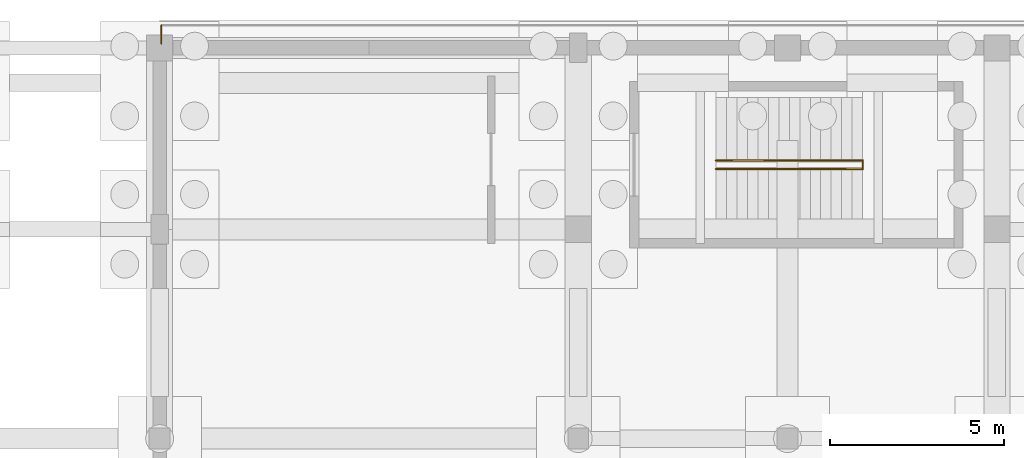
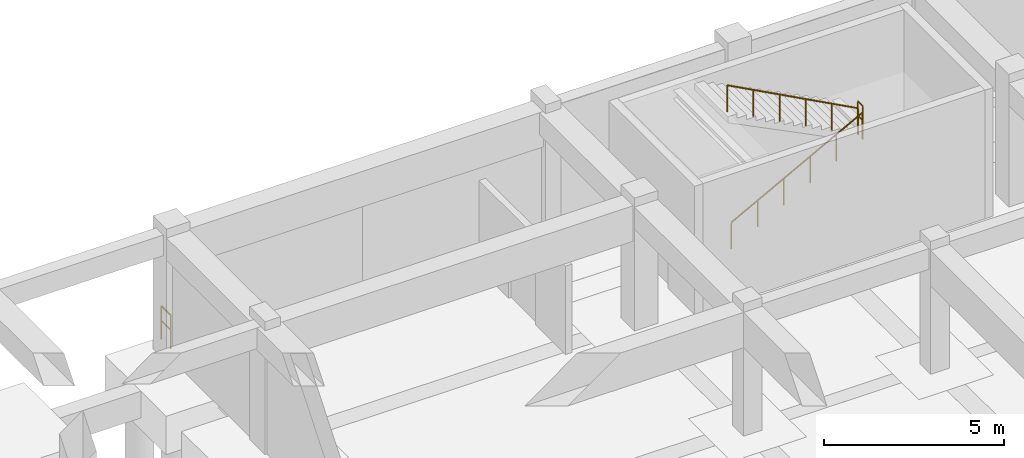
# One storey, part 27 of 32: 4 railings.
"""IFC4 building model written with IfcOpenShell, lengths in metres."""

from ifc_helpers import new_model, si_unit, direction, frame, origin, origin_2d, place, context, subcontext, project, spatial, circle, extrude, material, type_object, element, save


model = new_model("IFC4")

# Units and contexts
model_context = context("Model", 3, precision=1e-05, world=origin(), true_north=direction((0.0, 1.0)))
body_context = subcontext(model_context, "Body", "Model", "MODEL_VIEW")
ifc_project = project(units=[si_unit("LENGTHUNIT", "METRE"), si_unit("AREAUNIT", "SQUARE_METRE"), si_unit("VOLUMEUNIT", "CUBIC_METRE"), si_unit("PLANEANGLEUNIT", "RADIAN"), si_unit("MASSUNIT", "GRAM", prefix="KILO")], contexts=[model_context])

# Site, building, storey
site_placement = place(None, origin())
site = spatial("IfcSite", under=ifc_project, at=site_placement, CompositionType="ELEMENT")
building_placement = place(site_placement, origin())
building = spatial("IfcBuilding", under=site, at=building_placement, Name="Varnakota Square Police Headquarters", CompositionType="ELEMENT")
storey_placement = place(building_placement, frame((0.0, 0.0, -4.5)))
storey = spatial("IfcBuildingStorey", under=building, at=storey_placement, Name="B1", CompositionType="ELEMENT", Elevation=-4.5)

# Railings
ifc_material_1 = material(Name="Galvanised Powder-Coated Steel Guardrail", Category="steel")
railing_type_1 = type_object("IfcRailingType", Name="RL-BAL-1150", PredefinedType="BALUSTRADE", material=ifc_material_1)
railing_1_placement = place(storey_placement, frame((18.050048828125, 110.318115234375, 0.0)))
element("IfcRailing", 1, at=railing_1_placement, inside=storey, type_object=railing_type_1, Name="Perimeter edge safety guard GD-AUTO-B1-011", PredefinedType="BALUSTRADE", context=body_context, shape_type="SweptSolid", body=[
    extrude(circle(Radius=0.02392578125, at=origin_2d()), frame((0.0, 0.0, 1.1259765625), z_axis=(0.0, 1.0, 0.0), x_axis=(-1.0, 0.0, 0.0)), (0.0, 0.0, 1.0), 0.531982421875),
    extrude(circle(Radius=0.01806640625, at=origin_2d()), frame((0.0, 0.0, 0.63232421875), z_axis=(0.0, 1.0, 0.0), x_axis=(-1.0, 0.0, 0.0)), (0.0, 0.0, 1.0), 0.531982421875),
    extrude(circle(Radius=0.02099609375, at=origin_2d()), origin(), (0.0, 0.0, 1.0), 1.101806640625),
    extrude(circle(Radius=0.02099609375, at=origin_2d()), frame((0.0, 0.531982421875, 0.0)), (0.0, 0.0, 1.0), 1.101806640625),
])
ifc_material_2 = material(Name="Brushed Stainless Steel Tubular Handrail", Category="steel")
railing_type_2 = type_object("IfcRailingType", Name="RL-HND-920", PredefinedType="HANDRAIL", material=ifc_material_2)
railing_2_placement = place(storey_placement, frame((33.949951171875, 106.72998046875, 0.0)))
element("IfcRailing", 2, at=railing_2_placement, inside=storey, type_object=railing_type_2, Name="Stair flight handrail HR-B1-075", PredefinedType="HANDRAIL", context=body_context, shape_type="SweptSolid", body=[
    extrude(circle(Radius=0.02392578125, at=origin_2d()), frame((0.0, 0.0, 0.89599609375), z_axis=(0.881511956786, 0.0, 0.472161699043), x_axis=(0.0, 1.0, 0.0)), (0.0, 0.0, 1.0), 4.765380859375),
    extrude(circle(Radius=0.02099609375, at=origin_2d()), origin(), (0.0, 0.0, 1.0), 0.871826171875),
    extrude(circle(Radius=0.02099609375, at=origin_2d()), frame((0.840087890625, 0.0, 0.449951171875)), (0.0, 0.0, 1.0), 0.871826171875),
    extrude(circle(Radius=0.02099609375, at=origin_2d()), frame((1.68017578125, 0.0, 0.89990234375)), (0.0, 0.0, 1.0), 0.871826171875),
    extrude(circle(Radius=0.02099609375, at=origin_2d()), frame((2.5205078125, 0.0, 1.35009765625)), (0.0, 0.0, 1.0), 0.871826171875),
    extrude(circle(Radius=0.02099609375, at=origin_2d()), frame((3.360595703125, 0.0, 1.800048828125)), (0.0, 0.0, 1.0), 0.871826171875),
    extrude(circle(Radius=0.02099609375, at=origin_2d()), frame((4.20068359375, 0.0, 2.25)), (0.0, 0.0, 1.0), 0.871826171875),
])
railing_3_placement = place(storey_placement, frame((38.150634765625, 106.969970703125, 2.25)))
element("IfcRailing", 3, at=railing_3_placement, inside=storey, type_object=railing_type_2, Name="Stair flight handrail HR-B1-076", PredefinedType="HANDRAIL", context=body_context, shape_type="SweptSolid", body=[
    extrude(circle(Radius=0.02392578125, at=origin_2d()), frame((0.0, 0.0, 0.89599609375), z_axis=(-0.881511956786, 0.0, 0.472161699043), x_axis=(0.0, -1.0, 0.0)), (0.0, 0.0, 1.0), 4.765380859375),
    extrude(circle(Radius=0.02099609375, at=origin_2d()), origin(), (0.0, 0.0, 1.0), 0.871826171875),
    extrude(circle(Radius=0.02099609375, at=origin_2d()), frame((-0.840087890625, 0.0, 0.449951171875)), (0.0, 0.0, 1.0), 0.871826171875),
    extrude(circle(Radius=0.02099609375, at=origin_2d()), frame((-1.68017578125, 0.0, 0.89990234375)), (0.0, 0.0, 1.0), 0.871826171875),
    extrude(circle(Radius=0.02099609375, at=origin_2d()), frame((-2.5205078125, 0.0, 1.35009765625)), (0.0, 0.0, 1.0), 0.871826171875),
    extrude(circle(Radius=0.02099609375, at=origin_2d()), frame((-3.360595703125, 0.0, 1.800048828125)), (0.0, 0.0, 1.0), 0.871826171875),
    extrude(circle(Radius=0.02099609375, at=origin_2d()), frame((-4.20068359375, 0.0, 2.25)), (0.0, 0.0, 1.0), 0.871826171875),
])
ifc_material_3 = material(Name="Laminated Glass and Stainless Steel Balustrade", Category="steel")
railing_type_3 = type_object("IfcRailingType", Name="RL-INT-1150", PredefinedType="BALUSTRADE", material=ifc_material_3)
railing_4_placement = place(storey_placement, frame((38.150634765625, 106.719970703125, 2.25)))
element("IfcRailing", 4, at=railing_4_placement, inside=storey, type_object=railing_type_3, Name="Half-landing well guard C7 B1", PredefinedType="BALUSTRADE", context=body_context, shape_type="SweptSolid", body=[
    extrude(circle(Radius=0.02392578125, at=origin_2d()), frame((0.0, 0.0, 1.1259765625), z_axis=(0.0, 1.0, 0.0), x_axis=(-1.0, 0.0, 0.0)), (0.0, 0.0, 1.0), 0.260009765625),
    extrude(circle(Radius=0.01806640625, at=origin_2d()), frame((0.0, 0.0, 0.63232421875), z_axis=(0.0, 1.0, 0.0), x_axis=(-1.0, 0.0, 0.0)), (0.0, 0.0, 1.0), 0.260009765625),
    extrude(circle(Radius=0.02099609375, at=origin_2d()), origin(), (0.0, 0.0, 1.0), 1.101806640625),
    extrude(circle(Radius=0.02099609375, at=origin_2d()), frame((0.0, 0.260009765625, 0.0)), (0.0, 0.0, 1.0), 1.101806640625),
])

save(model, "model.ifc")
